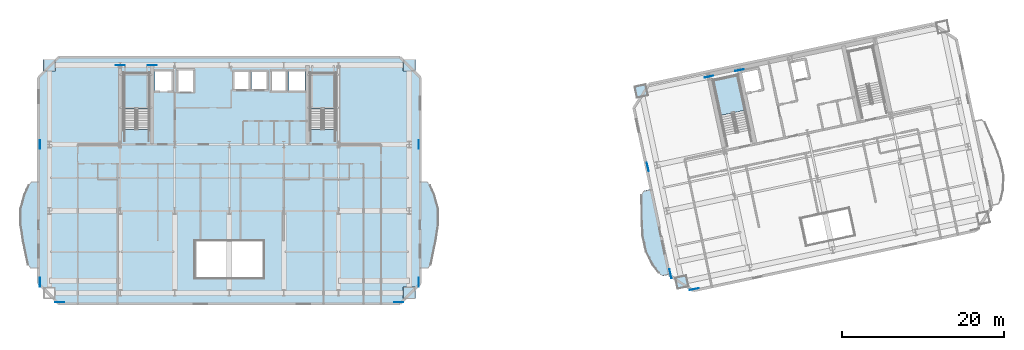
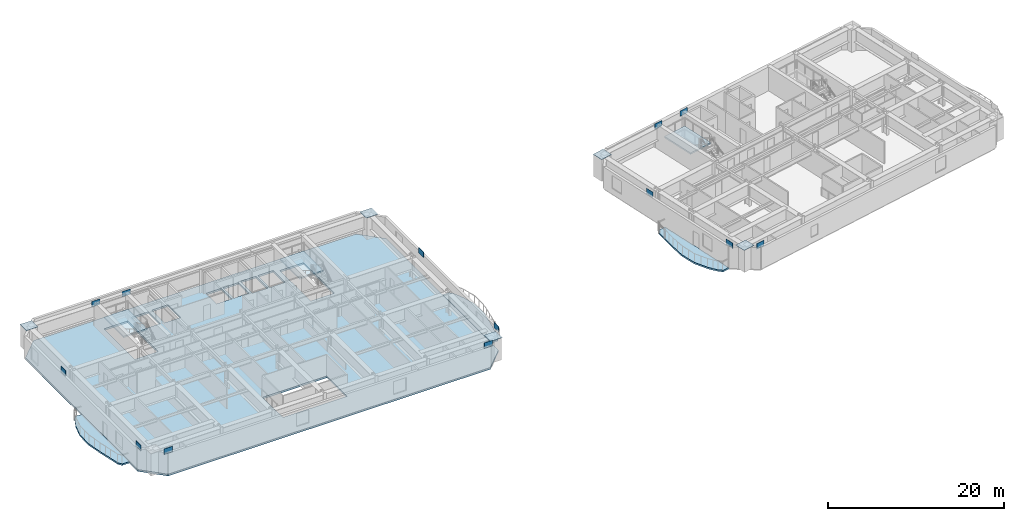
# One storey, part 5 of 15: 18 plates, 7 slabs, 3 elements without a shape of their own.
"""IFC4 building model written with IfcOpenShell, lengths in metres."""

from ifc_helpers import new_model, si_unit, direction, frame, origin, origin_2d, place, context, subcontext, project, spatial, polyline, rectangle, outline, extrude, material, layer, layer_set, type_object, element, aggregate, save


model = new_model("IFC4")

# Units and contexts
model_context = context("Model", 3, precision=1e-05, world=origin(), true_north=direction((0.0, 1.0)))
body_context = subcontext(model_context, "Body", "Model", "MODEL_VIEW")
ifc_project = project(units=[si_unit("LENGTHUNIT", "METRE"), si_unit("AREAUNIT", "SQUARE_METRE"), si_unit("VOLUMEUNIT", "CUBIC_METRE"), si_unit("PLANEANGLEUNIT", "RADIAN"), si_unit("MASSUNIT", "GRAM", prefix="KILO")], contexts=[model_context])

# Site, building, storey
site_placement = place(None, origin())
site = spatial("IfcSite", under=ifc_project, at=site_placement, CompositionType="ELEMENT")
building_placement = place(site_placement, origin())
building = spatial("IfcBuilding", under=site, at=building_placement, Name="Haevon Station Towers", CompositionType="ELEMENT")
storey_placement = place(building_placement, frame((0.0, 0.0, 109.800048828125)))
storey = spatial("IfcBuildingStorey", under=building, at=storey_placement, Name="L29", CompositionType="ELEMENT", Elevation=109.800048828125)

# Plates
ifc_material_1 = material(Name="PL-FLG1", Category="steel")
ifc_layer_1 = layer(ifc_material_1, 0.044921875)
ifc_layer_set_1 = layer_set([ifc_layer_1], Name="PL-FLG1")
plate_type_1 = type_object("IfcPlateType", Name="PL-FLG1", PredefinedType="USERDEFINED", material=ifc_layer_set_1)
for number, where, z_axis, x_axis, name in (
    (1, (15.25, 48.0, 3.050048828125), (0.0, 0.0, 1.0), (1.0, 0.0, 0.0), "PL-CAP-T1-L29-01-04"),
    (2, (59.75, 19.85009765625, 3.050048828125), (0.0, 0.0, 1.0), (1.0, 0.0, 0.0), "PL-CAP-T1-L29-07-01"),
    (3, (59.75, 48.0, 3.050048828125), (0.0, 0.0, 1.0), (1.0, 0.0, 0.0), "PL-CAP-T1-L29-07-04"),
    (4, (93.46630859375, 21.188232421875, 3.050048828125), (0.0, 0.0, 1.0), (0.978147600734, 0.207911690818, 0.0), "PL-CAP-T2-L29-01-01"),
    (5, (88.4453125, 44.810546875, 3.050048828125), (0.0, 0.0, 1.0), (0.978147600734, 0.207911690818, 0.0), "PL-CAP-T2-L29-01-04"),
):
    element("IfcPlate", number, at=place(storey_placement, frame(where, z_axis=z_axis, x_axis=x_axis)), inside=storey, type_object=plate_type_1, Name=name, ObjectType="FLANGE_PLATE", PredefinedType="USERDEFINED", context=body_context, shape_type="SweptSolid", body=[
        extrude(rectangle(XDim=1.5400390625, YDim=1.43994140625, at=origin_2d()), origin(), (0.0, 0.0, 1.0), 0.0400390625),
    ])
ifc_material_2 = material(Name="PL-SPL1", Category="steel")
ifc_layer_2 = layer(ifc_material_2, 0.031982421875)
ifc_layer_set_2 = layer_set([ifc_layer_2], Name="PL-SPL1")
plate_type_2 = type_object("IfcPlateType", Name="PL-SPL1", PredefinedType="USERDEFINED", material=ifc_layer_set_2)
for number, where, z_axis, x_axis, name in (
    (6, (16.550048828125, 18.679931640625, 2.77490234375), (0.0, 0.0, 1.0), (1.0, 0.0, 0.0), "PL-T1SPL-T03-S-3"),
    (7, (58.449951171875, 18.679931640625, 2.77490234375), (0.0, 0.0, 1.0), (1.0, 0.0, 0.0), "PL-T1SPL-T03-S-4"),
    (8, (24.0, 48.0, 2.77490234375), (0.0, 0.0, 1.0), (1.0, 0.0, 0.0), "PL-T1SPL-T03-N-3"),
    (9, (27.949951171875, 48.0, 2.77490234375), (0.0, 0.0, 1.0), (1.0, 0.0, 0.0), "PL-T1SPL-T03-N-4"),
    (10, (14.080078125, 21.14990234375, 2.77490234375), (0.0, 0.0, 1.0), (0.0, 1.0, 0.0), "PL-T1SPL-T03-W-3"),
    (11, (14.080078125, 38.199951171875, 2.77490234375), (0.0, 0.0, 1.0), (0.0, 1.0, 0.0), "PL-T1SPL-T03-W-4"),
    (12, (60.919921875, 21.14990234375, 2.77490234375), (0.0, 0.0, 1.0), (0.0, 1.0, 0.0), "PL-T1SPL-T03-E-3"),
    (13, (60.919921875, 38.199951171875, 2.77490234375), (0.0, 0.0, 1.0), (0.0, 1.0, 0.0), "PL-T1SPL-T03-E-4"),
    (14, (94.981201171875, 20.31396484375, 2.77490234375), (0.0, 0.0, 1.0), (0.978147600734, 0.207911690818, 0.0), "PL-T2SPL-T03-S-3"),
    (15, (96.808349609375, 46.588134765625, 2.77490234375), (0.0, 0.0, 1.0), (0.978147600734, 0.207911690818, 0.0), "PL-T2SPL-T03-N-3"),
    (16, (100.57421875, 47.388671875, 2.77490234375), (0.0, 0.0, 1.0), (0.978147600734, 0.207911690818, 0.0), "PL-T2SPL-T03-N-4"),
    (17, (92.051513671875, 22.216552734375, 2.77490234375), (0.0, 0.0, 1.0), (-0.207911690818, 0.978147600734, 0.0), "PL-T2SPL-T03-W-3"),
    (18, (89.244873046875, 35.421630859375, 2.77490234375), (0.0, 0.0, 1.0), (-0.207911690818, 0.978147600734, 0.0), "PL-T2SPL-T03-W-4"),
):
    element("IfcPlate", number, at=place(storey_placement, frame(where, z_axis=z_axis, x_axis=x_axis)), inside=storey, type_object=plate_type_2, Name=name, ObjectType="SPLICE_PLATE", PredefinedType="USERDEFINED", context=body_context, shape_type="SweptSolid", body=[
        extrude(rectangle(XDim=1.10009765625, YDim=0.031982421875, at=origin_2d()), origin(), (0.0, 0.0, 1.0), 0.75),
    ])

# Slabs
ifc_material_3 = material(Name="Concrete C40/50", Category="concrete")
ifc_layer_3 = layer(ifc_material_3, 0.219970703125)
ifc_layer_set_3 = layer_set([ifc_layer_3], Name="Concrete C40/50")
slab_type_1 = type_object("IfcSlabType", Name="SL-BALC220", PredefinedType="FLOOR", material=ifc_layer_set_3)
slab_1_placement = place(storey_placement, frame((0.0, 0.0, -0.219970703125)))
element("IfcSlab", 19, at=slab_1_placement, inside=storey, type_object=slab_type_1, Name="Tower 1 L29 West SCALLOPED BALCONY", PredefinedType="FLOOR", context=body_context, shape_type="SweptSolid", body=[
    extrude(outline(polyline([(13.89501953125, 33.64990234375), (13.044921875, 33.64990234375), (12.697509765625, 33.239013671875), (12.15185546875, 32.068359375), (11.66357421875, 30.31640625), (11.615478515625, 28.25), (11.98046875, 26.18359375), (12.3623046875, 24.431640625), (12.609130859375, 23.260986328125), (12.937744140625, 22.85009765625), (13.89501953125, 22.85009765625), (13.89501953125, 33.64990234375)])), origin(), (0.0, 0.0, 1.0), 0.219970703125),
])
slab_2_placement = place(storey_placement, frame((0.0, 0.0, -0.219970703125)))
element("IfcSlab", 20, at=slab_2_placement, inside=storey, type_object=slab_type_1, Name="Tower 1 L29 East SCALLOPED BALCONY", PredefinedType="FLOOR", context=body_context, shape_type="SweptSolid", body=[
    extrude(outline(polyline([(61.10498046875, 22.85009765625), (62.062255859375, 22.85009765625), (62.390869140625, 23.260986328125), (62.6376953125, 24.431640625), (63.01953125, 26.18359375), (63.384521484375, 28.25), (63.33642578125, 30.31640625), (62.84814453125, 32.068359375), (62.302490234375, 33.239013671875), (61.955078125, 33.64990234375), (61.10498046875, 33.64990234375), (61.10498046875, 22.85009765625)])), origin(), (0.0, 0.0, 1.0), 0.219970703125),
])
slab_3_placement = place(storey_placement, frame((0.0, 0.0, -0.219970703125)))
element("IfcSlab", 21, at=slab_3_placement, inside=storey, type_object=slab_type_1, Name="Tower 2 L29 West SCALLOPED BALCONY", PredefinedType="FLOOR", context=body_context, shape_type="SweptSolid", body=[
    extrude(outline(polyline([(89.640869140625, 32.668701171875), (88.704345703125, 32.4697265625), (88.468505859375, 31.999267578125), (88.470458984375, 30.802978515625), (88.461181640625, 29.010009765625), (88.533935546875, 26.912841796875), (89.010498046875, 24.9013671875), (89.852294921875, 23.289306640625), (90.62939453125, 22.2578125), (91.0546875, 21.927978515625), (91.88623046875, 22.104736328125), (89.640869140625, 32.668701171875)])), origin(), (0.0, 0.0, 1.0), 0.219970703125),
])

# Stair, slab
stair_type = type_object("IfcStairType", Name="STR-DL1450", PredefinedType="USERDEFINED", material=ifc_material_3)
stair_1_placement = place(storey_placement, origin())
stair_1 = element("IfcStair", 22, at=stair_1_placement, inside=storey, type_object=stair_type, Name="L29 Escape Stair ST1", ObjectType="TWO_RETURN_STAIR", PredefinedType="USERDEFINED")
ifc_layer_4 = layer(ifc_material_3, 0.199951171875)
ifc_layer_set_4 = layer_set([ifc_layer_4], Name="Concrete C40/50")
slab_type_2 = type_object("IfcSlabType", Name="SL-LND200", PredefinedType="LANDING", material=ifc_layer_set_4)
slab_4_placement = place(storey_placement, frame((0.0, 0.0, 1.449951171875)))
slab_4 = element("IfcSlab", 23, at=slab_4_placement, type_object=slab_type_2, Name="L29 ST1 Half Landing 1", PredefinedType="LANDING", context=body_context, shape_type="SweptSolid", body=[
    extrude(outline(polyline([(27.580078125, 42.56396484375), (27.580078125, 47.0), (24.47998046875, 47.0), (24.47998046875, 42.56396484375), (27.580078125, 42.56396484375)])), origin(), (0.0, 0.0, 1.0), 0.199951171875),
])
aggregate(stair_1, [slab_4])

stair_2_placement = place(storey_placement, origin())
stair_2 = element("IfcStair", 24, at=stair_2_placement, inside=storey, type_object=stair_type, Name="L29 Escape Stair ST2", ObjectType="TWO_RETURN_STAIR", PredefinedType="USERDEFINED")
slab_5_placement = place(storey_placement, frame((0.0, 0.0, 1.449951171875)))
slab_5 = element("IfcSlab", 25, at=slab_5_placement, type_object=slab_type_2, Name="L29 ST2 Half Landing 1", PredefinedType="LANDING", context=body_context, shape_type="SweptSolid", body=[
    extrude(outline(polyline([(50.6201171875, 42.56396484375), (50.6201171875, 47.0), (47.52001953125, 47.0), (47.52001953125, 42.56396484375), (50.6201171875, 42.56396484375)])), origin(), (0.0, 0.0, 1.0), 0.199951171875),
])
aggregate(stair_2, [slab_5])

stair_3_placement = place(storey_placement, origin())
stair_3 = element("IfcStair", 26, at=stair_3_placement, inside=storey, type_object=stair_type, Name="L29 Escape Stair ST3", ObjectType="TWO_RETURN_STAIR", PredefinedType="USERDEFINED")
slab_6_placement = place(storey_placement, frame((0.0, 0.0, 1.449951171875)))
slab_6 = element("IfcSlab", 27, at=slab_6_placement, type_object=slab_type_2, Name="L29 ST3 Half Landing 1", PredefinedType="LANDING", context=body_context, shape_type="SweptSolid", body=[
    extrude(outline(polyline([(101.2880859375, 42.44287109375), (100.36572265625, 46.781982421875), (97.33349609375, 46.137451171875), (98.255859375, 41.79833984375), (101.2880859375, 42.44287109375)])), origin(), (0.0, 0.0, 1.0), 0.199951171875),
])
aggregate(stair_3, [slab_6])

# Slab
ifc_layer_5 = layer(ifc_material_3, 0.25)
ifc_layer_set_5 = layer_set([ifc_layer_5], Name="Concrete C40/50")
slab_type_3 = type_object("IfcSlabType", Name="SL-TW250", PredefinedType="FLOOR", material=ifc_layer_set_5)
slab_7_placement = place(storey_placement, frame((0.0, 0.0, -0.25)))
element("IfcSlab", 28, at=slab_7_placement, inside=storey, type_object=slab_type_3, Name="SL-T1-L29", PredefinedType="FLOOR", context=body_context, shape_type="SweptSolid", body=[
    extrude(outline(polyline([(16.39990234375, 18.5), (58.60009765625, 18.5), (61.10009765625, 21.0), (61.10009765625, 46.5), (58.60009765625, 49.0), (16.39990234375, 49.0), (13.89990234375, 46.5), (13.89990234375, 21.0), (16.39990234375, 18.5)]), holes=[polyline([(27.580078125, 40.055908203125), (27.580078125, 47.0), (24.47998046875, 47.0), (24.47998046875, 40.055908203125), (27.580078125, 40.055908203125)]), polyline([(50.6201171875, 40.055908203125), (50.6201171875, 47.0), (47.52001953125, 47.0), (47.52001953125, 40.055908203125), (50.6201171875, 40.055908203125)]), polyline([(28.300048828125, 44.699951171875), (30.5, 44.699951171875), (30.5, 47.39990234375), (28.300048828125, 47.39990234375), (28.300048828125, 44.699951171875)]), polyline([(31.050048828125, 44.60009765625), (33.14990234375, 44.60009765625), (33.14990234375, 47.5), (31.050048828125, 47.5), (31.050048828125, 44.60009765625)]), polyline([(38.0, 44.89990234375), (40.0, 44.89990234375), (40.0, 47.300048828125), (38.0, 47.300048828125), (38.0, 44.89990234375)]), polyline([(40.25, 44.89990234375), (42.25, 44.89990234375), (42.25, 47.300048828125), (40.25, 47.300048828125), (40.25, 44.89990234375)]), polyline([(42.60009765625, 44.699951171875), (44.60009765625, 44.699951171875), (44.60009765625, 47.39990234375), (42.60009765625, 47.39990234375), (42.60009765625, 44.699951171875)]), polyline([(44.85009765625, 44.699951171875), (46.85009765625, 44.699951171875), (46.85009765625, 47.39990234375), (44.85009765625, 47.39990234375), (44.85009765625, 44.699951171875)]), polyline([(33.300048828125, 21.699951171875), (41.699951171875, 21.699951171875), (41.699951171875, 26.300048828125), (33.300048828125, 26.300048828125), (33.300048828125, 21.699951171875)])]), origin(), (0.0, 0.0, 1.0), 0.25),
])

save(model, "model.ifc")
